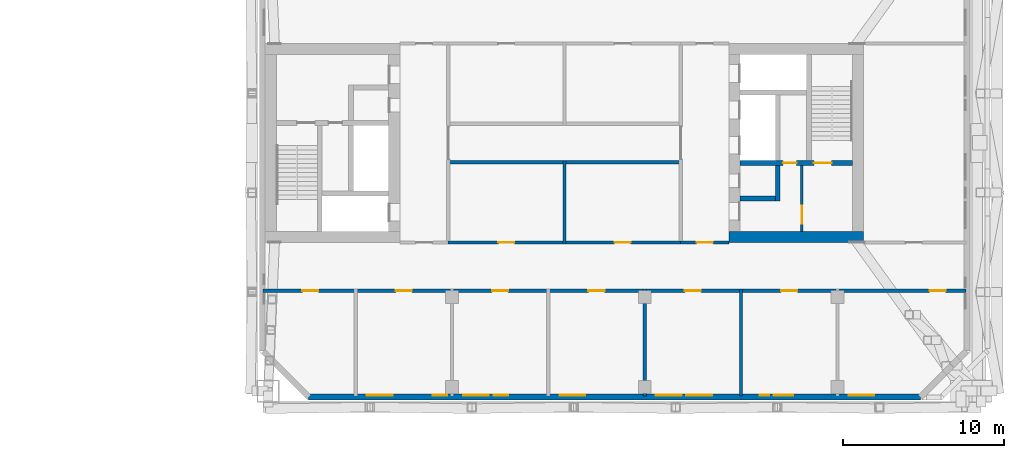
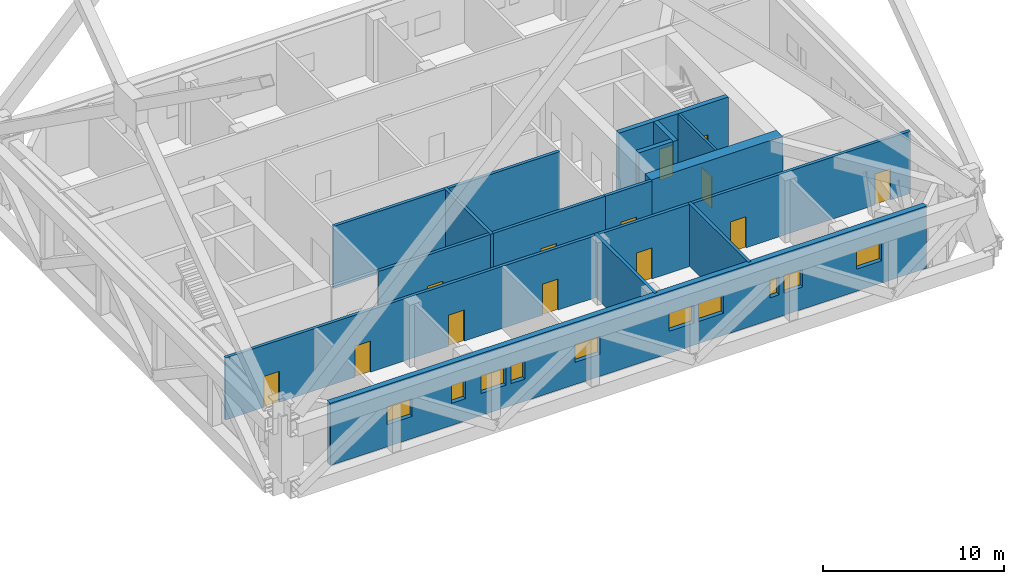
# One storey, part 12 of 20: 13 doors, 13 walls, 10 windows, 23 openings.
"""IFC4 building model written with IfcOpenShell, lengths in metres."""

from ifc_helpers import new_model, si_unit, direction, frame, frame_2d, origin, place, context, subcontext, project, spatial, rectangle, extrude, material, layer, layer_set, type_object, element, fill, save


model = new_model("IFC4")

# Units and contexts
model_context = context("Model", 3, precision=1e-05, world=origin(), true_north=direction((0.0, 1.0)))
body_context = subcontext(model_context, "Body", "Model", "MODEL_VIEW")
ifc_project = project(units=[si_unit("LENGTHUNIT", "METRE"), si_unit("AREAUNIT", "SQUARE_METRE"), si_unit("VOLUMEUNIT", "CUBIC_METRE"), si_unit("PLANEANGLEUNIT", "RADIAN"), si_unit("MASSUNIT", "GRAM", prefix="KILO")], contexts=[model_context])

# Site, building, storey
site_placement = place(None, origin())
site = spatial("IfcSite", under=ifc_project, at=site_placement, CompositionType="ELEMENT")
building_placement = place(site_placement, origin())
building = spatial("IfcBuilding", under=site, at=building_placement, Name="Tuart Gate Housing", CompositionType="ELEMENT")
storey_placement = place(building_placement, frame((0.0, 0.0, 62.89990234375)))
storey = spatial("IfcBuildingStorey", under=building, at=storey_placement, Name="L17", CompositionType="ELEMENT", Elevation=62.89990234375)

# Wall, openings, windows
ifc_material_1 = material(Name="Brick", Category="masonry")
ifc_layer_1 = layer(ifc_material_1, 0.360107421875)
ifc_layer_set_1 = layer_set([ifc_layer_1], Name="Brick pier and spandrel wall 360")
wall_type_1 = type_object("IfcWallType", Name="Brick pier and spandrel wall 360", PredefinedType="STANDARD", material=ifc_layer_set_1)
wall_1_placement = place(storey_placement, frame((134.07470703125, 54.179931640625, 0.0), z_axis=(0.0, 0.0, 1.0), x_axis=(1.0, 0.0, 0.0)))
wall_1 = element("IfcWall", 1, at=wall_1_placement, inside=storey, type_object=wall_type_1, Name="External wall B-S L17", PredefinedType="STANDARD", context=body_context, shape_type="SweptSolid", body=[
    extrude(rectangle(XDim=38.100830078125, YDim=0.360107421875, at=frame_2d((19.05029296875, 0.0))), origin(), (0.0, 0.0, 1.0), 4.2001953125),
])
opening_1_placement = place(wall_1_placement, frame((3.62548828125, 0.0, 1.5)))
opening_1 = element("IfcOpeningElement", 2, at=opening_1_placement, cuts=wall_1, Name="Opening W3", PredefinedType="OPENING", context=body_context, shape_type="SweptSolid", body=[
    extrude(rectangle(XDim=1.60009765625, YDim=1.199951171875, at=frame_2d((0.800048828125, 0.60009765625))), frame((0.0, 0.18994140625, 0.0), z_axis=(0.0, -1.0, 0.0), x_axis=(1.0, 0.0, 0.0)), (0.0, 0.0, 1.0), 0.380126953125),
])
opening_2_placement = place(wall_1_placement, frame((7.725341796875, 0.0, 1.5)))
opening_2 = element("IfcOpeningElement", 3, at=opening_2_placement, cuts=wall_1, Name="Opening W3B", PredefinedType="OPENING", context=body_context, shape_type="SweptSolid", body=[
    extrude(rectangle(XDim=0.89990234375, YDim=1.199951171875, at=frame_2d((0.449951171875, 0.60009765625))), frame((0.0, 0.18994140625, 0.0), z_axis=(0.0, -1.0, 0.0), x_axis=(1.0, 0.0, 0.0)), (0.0, 0.0, 1.0), 0.380126953125),
])
opening_3_placement = place(wall_1_placement, frame((9.62548828125, 0.0, 1.5)))
opening_3 = element("IfcOpeningElement", 4, at=opening_3_placement, cuts=wall_1, Name="Opening W3", PredefinedType="OPENING", context=body_context, shape_type="SweptSolid", body=[
    extrude(rectangle(XDim=1.60009765625, YDim=1.199951171875, at=frame_2d((0.800048828125, 0.60009765625))), frame((0.0, 0.18994140625, 0.0), z_axis=(0.0, -1.0, 0.0), x_axis=(1.0, 0.0, 0.0)), (0.0, 0.0, 1.0), 0.380126953125),
])
opening_4_placement = place(wall_1_placement, frame((11.525390625, 0.0, 1.5)))
opening_4 = element("IfcOpeningElement", 5, at=opening_4_placement, cuts=wall_1, Name="Opening W3B", PredefinedType="OPENING", context=body_context, shape_type="SweptSolid", body=[
    extrude(rectangle(XDim=0.89990234375, YDim=1.199951171875, at=frame_2d((0.449951171875, 0.60009765625))), frame((0.0, 0.18994140625, 0.0), z_axis=(0.0, -1.0, 0.0), x_axis=(1.0, 0.0, 0.0)), (0.0, 0.0, 1.0), 0.380126953125),
])
opening_5_placement = place(wall_1_placement, frame((15.62548828125, 0.0, 1.5)))
opening_5 = element("IfcOpeningElement", 6, at=opening_5_placement, cuts=wall_1, Name="Opening W3", PredefinedType="OPENING", context=body_context, shape_type="SweptSolid", body=[
    extrude(rectangle(XDim=1.60009765625, YDim=1.199951171875, at=frame_2d((0.800048828125, 0.60009765625))), frame((0.0, 0.18994140625, 0.0), z_axis=(0.0, -1.0, 0.0), x_axis=(1.0, 0.0, 0.0)), (0.0, 0.0, 1.0), 0.380126953125),
])
opening_6_placement = place(wall_1_placement, frame((21.62548828125, 0.0, 1.5)))
opening_6 = element("IfcOpeningElement", 7, at=opening_6_placement, cuts=wall_1, Name="Opening W3", PredefinedType="OPENING", context=body_context, shape_type="SweptSolid", body=[
    extrude(rectangle(XDim=1.60009765625, YDim=1.199951171875, at=frame_2d((0.800048828125, 0.60009765625))), frame((0.0, 0.18994140625, 0.0), z_axis=(0.0, -1.0, 0.0), x_axis=(1.0, 0.0, 0.0)), (0.0, 0.0, 1.0), 0.380126953125),
])
opening_7_placement = place(wall_1_placement, frame((23.525390625, 0.0, 1.5)))
opening_7 = element("IfcOpeningElement", 8, at=opening_7_placement, cuts=wall_1, Name="Opening W3", PredefinedType="OPENING", context=body_context, shape_type="SweptSolid", body=[
    extrude(rectangle(XDim=1.60009765625, YDim=1.199951171875, at=frame_2d((0.800048828125, 0.60009765625))), frame((0.0, 0.18994140625, 0.0), z_axis=(0.0, -1.0, 0.0), x_axis=(1.0, 0.0, 0.0)), (0.0, 0.0, 1.0), 0.380126953125),
])
opening_8_placement = place(wall_1_placement, frame((28.075439453125, 0.0, 1.5)))
opening_8 = element("IfcOpeningElement", 9, at=opening_8_placement, cuts=wall_1, Name="Opening W3C", PredefinedType="OPENING", context=body_context, shape_type="SweptSolid", body=[
    extrude(rectangle(XDim=0.60009765625, YDim=1.199951171875, at=frame_2d((0.300048828125, 0.60009765625))), frame((0.0, 0.18994140625, 0.0), z_axis=(0.0, -1.0, 0.0), x_axis=(1.0, 0.0, 0.0)), (0.0, 0.0, 1.0), 0.380126953125),
])
opening_9_placement = place(wall_1_placement, frame((28.975341796875, 0.0, 1.5)))
opening_9 = element("IfcOpeningElement", 10, at=opening_9_placement, cuts=wall_1, Name="Opening W3A", PredefinedType="OPENING", context=body_context, shape_type="SweptSolid", body=[
    extrude(rectangle(XDim=1.199951171875, YDim=1.199951171875, at=frame_2d((0.60009765625, 0.60009765625))), frame((0.0, 0.18994140625, 0.0), z_axis=(0.0, -1.0, 0.0), x_axis=(1.0, 0.0, 0.0)), (0.0, 0.0, 1.0), 0.380126953125),
])
opening_10_placement = place(wall_1_placement, frame((33.62548828125, 0.0, 1.5)))
opening_10 = element("IfcOpeningElement", 11, at=opening_10_placement, cuts=wall_1, Name="Opening W3", PredefinedType="OPENING", context=body_context, shape_type="SweptSolid", body=[
    extrude(rectangle(XDim=1.60009765625, YDim=1.199951171875, at=frame_2d((0.800048828125, 0.60009765625))), frame((0.0, 0.18994140625, 0.0), z_axis=(0.0, -1.0, 0.0), x_axis=(1.0, 0.0, 0.0)), (0.0, 0.0, 1.0), 0.380126953125),
])
ifc_material_2 = material(Name="Aluminium louvre blades", Category="aluminium")
window_type_1 = type_object("IfcWindowType", Name="Louvre window 1200 x 1200", PartitioningType="DOUBLE_PANEL_HORIZONTAL", PredefinedType="WINDOW", material=ifc_material_2)
window_1_placement = place(opening_9_placement, origin())
window_1 = element("IfcWindow", 12, at=window_1_placement, inside=storey, type_object=window_type_1, Name="Louvre W3A", OverallHeight=1.199951171875, OverallWidth=1.199951171875, PartitioningType="DOUBLE_PANEL_HORIZONTAL", PredefinedType="WINDOW", context=body_context, shape_type="SweptSolid", body=[
    extrude(rectangle(XDim=1.199951171875, YDim=1.199951171875, at=frame_2d((0.60009765625, 0.60009765625))), frame((0.0, 0.150146484375, 0.0), z_axis=(0.0, -1.0, 0.0), x_axis=(1.0, 0.0, 0.0)), (0.0, 0.0, 1.0), 0.06005859375),
])
fill(opening_9, window_1)
ifc_material_3 = material(Name="Aluminium louvre blades", Category="aluminium")
window_type_2 = type_object("IfcWindowType", Name="Louvre window 1600 x 1200", PartitioningType="DOUBLE_PANEL_HORIZONTAL", PredefinedType="WINDOW", material=ifc_material_3)
window_2_placement = place(opening_1_placement, origin())
window_2 = element("IfcWindow", 13, at=window_2_placement, inside=storey, type_object=window_type_2, Name="Louvre W3", OverallHeight=1.199951171875, OverallWidth=1.60009765625, PartitioningType="DOUBLE_PANEL_HORIZONTAL", PredefinedType="WINDOW", context=body_context, shape_type="SweptSolid", body=[
    extrude(rectangle(XDim=1.60009765625, YDim=1.199951171875, at=frame_2d((0.800048828125, 0.60009765625))), frame((0.0, 0.150146484375, 0.0), z_axis=(0.0, -1.0, 0.0), x_axis=(1.0, 0.0, 0.0)), (0.0, 0.0, 1.0), 0.06005859375),
])
fill(opening_1, window_2)
window_3_placement = place(opening_3_placement, origin())
window_3 = element("IfcWindow", 14, at=window_3_placement, inside=storey, type_object=window_type_2, Name="Louvre W3", OverallHeight=1.199951171875, OverallWidth=1.60009765625, PartitioningType="DOUBLE_PANEL_HORIZONTAL", PredefinedType="WINDOW", context=body_context, shape_type="SweptSolid", body=[
    extrude(rectangle(XDim=1.60009765625, YDim=1.199951171875, at=frame_2d((0.800048828125, 0.60009765625))), frame((0.0, 0.150146484375, 0.0), z_axis=(0.0, -1.0, 0.0), x_axis=(1.0, 0.0, 0.0)), (0.0, 0.0, 1.0), 0.06005859375),
])
fill(opening_3, window_3)
window_4_placement = place(opening_5_placement, origin())
window_4 = element("IfcWindow", 15, at=window_4_placement, inside=storey, type_object=window_type_2, Name="Louvre W3", OverallHeight=1.199951171875, OverallWidth=1.60009765625, PartitioningType="DOUBLE_PANEL_HORIZONTAL", PredefinedType="WINDOW", context=body_context, shape_type="SweptSolid", body=[
    extrude(rectangle(XDim=1.60009765625, YDim=1.199951171875, at=frame_2d((0.800048828125, 0.60009765625))), frame((0.0, 0.150146484375, 0.0), z_axis=(0.0, -1.0, 0.0), x_axis=(1.0, 0.0, 0.0)), (0.0, 0.0, 1.0), 0.06005859375),
])
fill(opening_5, window_4)
window_5_placement = place(opening_6_placement, origin())
window_5 = element("IfcWindow", 16, at=window_5_placement, inside=storey, type_object=window_type_2, Name="Louvre W3", OverallHeight=1.199951171875, OverallWidth=1.60009765625, PartitioningType="DOUBLE_PANEL_HORIZONTAL", PredefinedType="WINDOW", context=body_context, shape_type="SweptSolid", body=[
    extrude(rectangle(XDim=1.60009765625, YDim=1.199951171875, at=frame_2d((0.800048828125, 0.60009765625))), frame((0.0, 0.150146484375, 0.0), z_axis=(0.0, -1.0, 0.0), x_axis=(1.0, 0.0, 0.0)), (0.0, 0.0, 1.0), 0.06005859375),
])
fill(opening_6, window_5)
window_6_placement = place(opening_7_placement, origin())
window_6 = element("IfcWindow", 17, at=window_6_placement, inside=storey, type_object=window_type_2, Name="Louvre W3", OverallHeight=1.199951171875, OverallWidth=1.60009765625, PartitioningType="DOUBLE_PANEL_HORIZONTAL", PredefinedType="WINDOW", context=body_context, shape_type="SweptSolid", body=[
    extrude(rectangle(XDim=1.60009765625, YDim=1.199951171875, at=frame_2d((0.800048828125, 0.60009765625))), frame((0.0, 0.150146484375, 0.0), z_axis=(0.0, -1.0, 0.0), x_axis=(1.0, 0.0, 0.0)), (0.0, 0.0, 1.0), 0.06005859375),
])
fill(opening_7, window_6)
window_7_placement = place(opening_10_placement, origin())
window_7 = element("IfcWindow", 18, at=window_7_placement, inside=storey, type_object=window_type_2, Name="Louvre W3", OverallHeight=1.199951171875, OverallWidth=1.60009765625, PartitioningType="DOUBLE_PANEL_HORIZONTAL", PredefinedType="WINDOW", context=body_context, shape_type="SweptSolid", body=[
    extrude(rectangle(XDim=1.60009765625, YDim=1.199951171875, at=frame_2d((0.800048828125, 0.60009765625))), frame((0.0, 0.150146484375, 0.0), z_axis=(0.0, -1.0, 0.0), x_axis=(1.0, 0.0, 0.0)), (0.0, 0.0, 1.0), 0.06005859375),
])
fill(opening_10, window_7)
ifc_material_4 = material(Name="Aluminium louvre blades", Category="aluminium")
window_type_3 = type_object("IfcWindowType", Name="Louvre window 600 x 1200", PartitioningType="DOUBLE_PANEL_HORIZONTAL", PredefinedType="WINDOW", material=ifc_material_4)
window_8_placement = place(opening_8_placement, origin())
window_8 = element("IfcWindow", 19, at=window_8_placement, inside=storey, type_object=window_type_3, Name="Louvre W3C", OverallHeight=1.199951171875, OverallWidth=0.60009765625, PartitioningType="DOUBLE_PANEL_HORIZONTAL", PredefinedType="WINDOW", context=body_context, shape_type="SweptSolid", body=[
    extrude(rectangle(XDim=0.60009765625, YDim=1.199951171875, at=frame_2d((0.300048828125, 0.60009765625))), frame((0.0, 0.150146484375, 0.0), z_axis=(0.0, -1.0, 0.0), x_axis=(1.0, 0.0, 0.0)), (0.0, 0.0, 1.0), 0.06005859375),
])
fill(opening_8, window_8)
ifc_material_5 = material(Name="Aluminium louvre blades", Category="aluminium")
window_type_4 = type_object("IfcWindowType", Name="Louvre window 900 x 1200", PartitioningType="DOUBLE_PANEL_HORIZONTAL", PredefinedType="WINDOW", material=ifc_material_5)
window_9_placement = place(opening_2_placement, origin())
window_9 = element("IfcWindow", 20, at=window_9_placement, inside=storey, type_object=window_type_4, Name="Louvre W3B", OverallHeight=1.199951171875, OverallWidth=0.89990234375, PartitioningType="DOUBLE_PANEL_HORIZONTAL", PredefinedType="WINDOW", context=body_context, shape_type="SweptSolid", body=[
    extrude(rectangle(XDim=0.89990234375, YDim=1.199951171875, at=frame_2d((0.449951171875, 0.60009765625))), frame((0.0, 0.150146484375, 0.0), z_axis=(0.0, -1.0, 0.0), x_axis=(1.0, 0.0, 0.0)), (0.0, 0.0, 1.0), 0.06005859375),
])
fill(opening_2, window_9)
window_10_placement = place(opening_4_placement, origin())
window_10 = element("IfcWindow", 21, at=window_10_placement, inside=storey, type_object=window_type_4, Name="Louvre W3B", OverallHeight=1.199951171875, OverallWidth=0.89990234375, PartitioningType="DOUBLE_PANEL_HORIZONTAL", PredefinedType="WINDOW", context=body_context, shape_type="SweptSolid", body=[
    extrude(rectangle(XDim=0.89990234375, YDim=1.199951171875, at=frame_2d((0.449951171875, 0.60009765625))), frame((0.0, 0.150146484375, 0.0), z_axis=(0.0, -1.0, 0.0), x_axis=(1.0, 0.0, 0.0)), (0.0, 0.0, 1.0), 0.06005859375),
])
fill(opening_4, window_10)

# Wall, opening, door
ifc_material_6 = material(Name="Plasterboard partition")
ifc_layer_2 = layer(ifc_material_6, 0.14990234375)
ifc_layer_set_2 = layer_set([ifc_layer_2], Name="Core partition 150")
wall_type_2 = type_object("IfcWallType", Name="Core partition 150", PredefinedType="PARTITIONING", material=ifc_layer_set_2)
wall_2_placement = place(storey_placement, frame((164.7900390625, 68.60009765625, 0.0), z_axis=(0.0, 0.0, 1.0), x_axis=(0.0, -1.0, 0.0)))
wall_2 = element("IfcWall", 22, at=wall_2_placement, inside=storey, type_object=wall_type_2, Name="Core partition BK.6", PredefinedType="PARTITIONING", context=body_context, shape_type="SweptSolid", body=[
    extrude(rectangle(XDim=4.10009765625, YDim=0.14990234375, at=frame_2d((2.050048828125, 0.0))), origin(), (0.0, 0.0, 1.0), 4.2001953125),
])
opening_11_placement = place(wall_2_placement, frame((2.52490234375, 0.0, 0.0)))
opening_11 = element("IfcOpeningElement", 23, at=opening_11_placement, cuts=wall_2, Name="Opening D3363", PredefinedType="OPENING", context=body_context, shape_type="SweptSolid", body=[
    extrude(rectangle(XDim=1.10009765625, YDim=2.10009765625, at=frame_2d((0.550048828125, 1.050048828125))), frame((0.0, 0.0849609375, 0.0), z_axis=(0.0, -1.0, 0.0), x_axis=(1.0, 0.0, 0.0)), (0.0, 0.0, 1.0), 0.169921875),
])
ifc_material_7 = material(Name="Steel fire door", Category="steel")
door_type_1 = type_object("IfcDoorType", Name="Lobby door 1100 x 2100 RH", OperationType="SINGLE_SWING_RIGHT", PredefinedType="DOOR", material=ifc_material_7)
door_1_placement = place(opening_11_placement, origin())
door_1 = element("IfcDoor", 24, at=door_1_placement, inside=storey, type_object=door_type_1, Name="Smoke lobby door BK.KD", OperationType="SINGLE_SWING_RIGHT", OverallHeight=2.10009765625, OverallWidth=1.10009765625, PredefinedType="DOOR", context=body_context, shape_type="SweptSolid", body=[
    extrude(rectangle(XDim=1.10009765625, YDim=2.10009765625, at=frame_2d((0.550048828125, 1.050048828125))), frame((0.0, 0.02490234375, 0.0), z_axis=(0.0, -1.0, 0.0), x_axis=(1.0, 0.0, 0.0)), (0.0, 0.0, 1.0), 0.050048828125),
])
fill(opening_11, door_1)

# Wall, openings, doors
ifc_material_8 = material(Name="Concrete C50", Category="concrete")
ifc_layer_3 = layer(ifc_material_8, 0.300048828125)
ifc_layer_set_3 = layer_set([ifc_layer_3], Name="Core wall 300 C50")
wall_type_3 = type_object("IfcWallType", Name="Core wall 300 C50", PredefinedType="SHEAR", material=ifc_layer_set_3)
wall_3_placement = place(storey_placement, frame((160.93994140625, 68.75, 0.0), z_axis=(0.0, 0.0, 1.0), x_axis=(1.0, 0.0, 0.0)))
wall_3 = element("IfcWall", 25, at=wall_3_placement, inside=storey, type_object=wall_type_3, Name="Core wall BK.2", PredefinedType="SHEAR", context=body_context, shape_type="SweptSolid", body=[
    extrude(rectangle(XDim=7.0, YDim=0.300048828125, at=frame_2d((3.5, 0.0))), origin(), (0.0, 0.0, 1.0), 4.2001953125),
])
opening_12_placement = place(wall_3_placement, frame((4.60009765625, 0.0, 0.0)))
opening_12 = element("IfcOpeningElement", 26, at=opening_12_placement, cuts=wall_3, Name="Opening D3362", PredefinedType="OPENING", context=body_context, shape_type="SweptSolid", body=[
    extrude(rectangle(XDim=1.10009765625, YDim=2.10009765625, at=frame_2d((0.550048828125, 1.050048828125))), frame((0.0, 0.159912109375, 0.0), z_axis=(0.0, -1.0, 0.0), x_axis=(1.0, 0.0, 0.0)), (0.0, 0.0, 1.0), 0.320068359375),
])
opening_13_placement = place(wall_3_placement, frame((2.675048828125, 0.0, 0.0)))
opening_13 = element("IfcOpeningElement", 27, at=opening_13_placement, cuts=wall_3, Name="Opening D3361", PredefinedType="OPENING", context=body_context, shape_type="SweptSolid", body=[
    extrude(rectangle(XDim=0.85009765625, YDim=2.10009765625, at=frame_2d((0.425048828125, 1.050048828125))), frame((0.0, 0.159912109375, 0.0), z_axis=(0.0, -1.0, 0.0), x_axis=(1.0, 0.0, 0.0)), (0.0, 0.0, 1.0), 0.320068359375),
])
ifc_material_9 = material(Name="Steel fire door", Category="steel")
door_type_2 = type_object("IfcDoorType", Name="Riser door 850 x 2100", OperationType="SINGLE_SWING_LEFT", PredefinedType="DOOR", material=ifc_material_9)
door_2_placement = place(opening_13_placement, origin())
door_2 = element("IfcDoor", 28, at=door_2_placement, inside=storey, type_object=door_type_2, Name="Service room door BK.W1", OperationType="SINGLE_SWING_LEFT", OverallHeight=2.10009765625, OverallWidth=0.85009765625, PredefinedType="DOOR", context=body_context, shape_type="SweptSolid", body=[
    extrude(rectangle(XDim=0.85009765625, YDim=2.10009765625, at=frame_2d((0.425048828125, 1.050048828125))), frame((0.0, 0.02490234375, 0.0), z_axis=(0.0, -1.0, 0.0), x_axis=(1.0, 0.0, 0.0)), (0.0, 0.0, 1.0), 0.050048828125),
])
fill(opening_13, door_2)
ifc_material_10 = material(Name="Steel fire door", Category="steel")
door_type_3 = type_object("IfcDoorType", Name="Stair door 1100 x 2100", OperationType="SINGLE_SWING_LEFT", PredefinedType="DOOR", material=ifc_material_10)
door_3_placement = place(opening_12_placement, origin())
door_3 = element("IfcDoor", 29, at=door_3_placement, inside=storey, type_object=door_type_3, Name="Stair door BK.SD", OperationType="SINGLE_SWING_LEFT", OverallHeight=2.10009765625, OverallWidth=1.10009765625, PredefinedType="DOOR", context=body_context, shape_type="SweptSolid", body=[
    extrude(rectangle(XDim=1.10009765625, YDim=2.10009765625, at=frame_2d((0.550048828125, 1.050048828125))), frame((0.0, 0.02490234375, 0.0), z_axis=(0.0, -1.0, 0.0), x_axis=(1.0, 0.0, 0.0)), (0.0, 0.0, 1.0), 0.050048828125),
])
fill(opening_12, door_3)

# Walls
wall_4_placement = place(storey_placement, frame((160.93994140625, 66.550048828125, 0.0), z_axis=(0.0, 0.0, 1.0), x_axis=(1.0, 0.0, 0.0)))
element("IfcWall", 30, at=wall_4_placement, inside=storey, type_object=wall_type_3, Name="Core wall BK.3", PredefinedType="SHEAR", context=body_context, shape_type="SweptSolid", body=[
    extrude(rectangle(XDim=2.199951171875, YDim=0.300048828125, at=frame_2d((1.10009765625, 0.0))), origin(), (0.0, 0.0, 1.0), 4.2001953125),
])
wall_5_placement = place(storey_placement, frame((163.2900390625, 68.60009765625, 0.0), z_axis=(0.0, 0.0, 1.0), x_axis=(0.0, -1.0, 0.0)))
element("IfcWall", 31, at=wall_5_placement, inside=storey, type_object=wall_type_3, Name="Core wall BK.5", PredefinedType="SHEAR", context=body_context, shape_type="SweptSolid", body=[
    extrude(rectangle(XDim=2.2001953125, YDim=0.300048828125, at=frame_2d((1.10009765625, 0.0))), origin(), (0.0, 0.0, 1.0), 4.2001953125),
])
ifc_material_11 = material(Name="Concrete C50", Category="concrete")
ifc_layer_4 = layer(ifc_material_11, 0.699951171875)
ifc_layer_set_4 = layer_set([ifc_layer_4], Name="Core wall 700 C50")
wall_type_4 = type_object("IfcWallType", Name="Core wall 700 C50", PredefinedType="SHEAR", material=ifc_layer_set_4)
wall_6_placement = place(storey_placement, frame((160.239990234375, 64.14990234375, 0.0), z_axis=(0.0, 0.0, 1.0), x_axis=(1.0, 0.0, 0.0)))
element("IfcWall", 32, at=wall_6_placement, inside=storey, type_object=wall_type_4, Name="Core wall BK north", PredefinedType="SHEAR", context=body_context, shape_type="SweptSolid", body=[
    extrude(rectangle(XDim=8.39990234375, YDim=0.699951171875, at=frame_2d((4.199951171875, 0.0))), origin(), (0.0, 0.0, 1.0), 4.2001953125),
])

# Wall, openings, doors
ifc_material_12 = material(Name="Concrete masonry 15 MPa", Category="masonry")
ifc_layer_5 = layer(ifc_material_12, 0.199951171875)
ifc_layer_set_5 = layer_set([ifc_layer_5], Name="Enclosure wall masonry 200")
wall_type_5 = type_object("IfcWallType", Name="Enclosure wall masonry 200", PredefinedType="PARTITIONING", material=ifc_layer_set_5)
wall_7_placement = place(storey_placement, frame((131.239990234375, 60.800048828125, 0.0), z_axis=(0.0, 0.0, 1.0), x_axis=(1.0, 0.0, 0.0)))
wall_7 = element("IfcWall", 33, at=wall_7_placement, inside=storey, type_object=wall_type_5, Name="Enclosure wall masonry 200", PredefinedType="PARTITIONING", context=body_context, shape_type="SweptSolid", body=[
    extrude(rectangle(XDim=43.77001953125, YDim=0.199951171875, at=frame_2d((21.885009765625, 0.0))), origin(), (0.0, 0.0, 1.0), 4.2001953125),
])
opening_14_placement = place(wall_7_placement, frame((2.43994140625, 0.0, 0.0)))
opening_14 = element("IfcOpeningElement", 34, at=opening_14_placement, cuts=wall_7, Name="Opening D3369", PredefinedType="OPENING", context=body_context, shape_type="SweptSolid", body=[
    extrude(rectangle(XDim=1.0, YDim=2.10009765625, at=frame_2d((0.5, 1.050048828125))), frame((0.0, 0.10986328125, 0.0), z_axis=(0.0, -1.0, 0.0), x_axis=(1.0, 0.0, 0.0)), (0.0, 0.0, 1.0), 0.219970703125),
])
opening_15_placement = place(wall_7_placement, frame((8.260009765625, 0.0, 0.0)))
opening_15 = element("IfcOpeningElement", 35, at=opening_15_placement, cuts=wall_7, Name="Opening D3370", PredefinedType="OPENING", context=body_context, shape_type="SweptSolid", body=[
    extrude(rectangle(XDim=1.0, YDim=2.10009765625, at=frame_2d((0.5, 1.050048828125))), frame((0.0, 0.10986328125, 0.0), z_axis=(0.0, -1.0, 0.0), x_axis=(1.0, 0.0, 0.0)), (0.0, 0.0, 1.0), 0.219970703125),
])
opening_16_placement = place(wall_7_placement, frame((14.260009765625, 0.0, 0.0)))
opening_16 = element("IfcOpeningElement", 36, at=opening_16_placement, cuts=wall_7, Name="Opening D3371", PredefinedType="OPENING", context=body_context, shape_type="SweptSolid", body=[
    extrude(rectangle(XDim=1.0, YDim=2.10009765625, at=frame_2d((0.5, 1.050048828125))), frame((0.0, 0.10986328125, 0.0), z_axis=(0.0, -1.0, 0.0), x_axis=(1.0, 0.0, 0.0)), (0.0, 0.0, 1.0), 0.219970703125),
])
opening_17_placement = place(wall_7_placement, frame((20.260009765625, 0.0, 0.0)))
opening_17 = element("IfcOpeningElement", 37, at=opening_17_placement, cuts=wall_7, Name="Opening D3372", PredefinedType="OPENING", context=body_context, shape_type="SweptSolid", body=[
    extrude(rectangle(XDim=1.0, YDim=2.10009765625, at=frame_2d((0.5, 1.050048828125))), frame((0.0, 0.10986328125, 0.0), z_axis=(0.0, -1.0, 0.0), x_axis=(1.0, 0.0, 0.0)), (0.0, 0.0, 1.0), 0.219970703125),
])
opening_18_placement = place(wall_7_placement, frame((26.260009765625, 0.0, 0.0)))
opening_18 = element("IfcOpeningElement", 38, at=opening_18_placement, cuts=wall_7, Name="Opening D3373", PredefinedType="OPENING", context=body_context, shape_type="SweptSolid", body=[
    extrude(rectangle(XDim=1.0, YDim=2.10009765625, at=frame_2d((0.5, 1.050048828125))), frame((0.0, 0.10986328125, 0.0), z_axis=(0.0, -1.0, 0.0), x_axis=(1.0, 0.0, 0.0)), (0.0, 0.0, 1.0), 0.219970703125),
])
opening_19_placement = place(wall_7_placement, frame((32.260009765625, 0.0, 0.0)))
opening_19 = element("IfcOpeningElement", 39, at=opening_19_placement, cuts=wall_7, Name="Opening D3374", PredefinedType="OPENING", context=body_context, shape_type="SweptSolid", body=[
    extrude(rectangle(XDim=1.0, YDim=2.10009765625, at=frame_2d((0.5, 1.050048828125))), frame((0.0, 0.10986328125, 0.0), z_axis=(0.0, -1.0, 0.0), x_axis=(1.0, 0.0, 0.0)), (0.0, 0.0, 1.0), 0.219970703125),
])
opening_20_placement = place(wall_7_placement, frame((41.5048828125, 0.0, 0.0)))
opening_20 = element("IfcOpeningElement", 40, at=opening_20_placement, cuts=wall_7, Name="Opening D3375", PredefinedType="OPENING", context=body_context, shape_type="SweptSolid", body=[
    extrude(rectangle(XDim=1.0, YDim=2.10009765625, at=frame_2d((0.5, 1.050048828125))), frame((0.0, 0.10986328125, 0.0), z_axis=(0.0, -1.0, 0.0), x_axis=(1.0, 0.0, 0.0)), (0.0, 0.0, 1.0), 0.219970703125),
])
ifc_material_13 = material(Name="Timber door leaf in steel frame", Category="steel")
door_type_4 = type_object("IfcDoorType", Name="Fire door 1000", OperationType="SINGLE_SWING_LEFT", PredefinedType="DOOR", material=ifc_material_13)
door_4_placement = place(opening_20_placement, frame((1.0, 0.0, 0.0), z_axis=(0.0, 0.0, 1.0), x_axis=(-1.0, 0.0, 0.0)))
door_4 = element("IfcDoor", 41, at=door_4_placement, inside=storey, type_object=door_type_4, Name="Fire door 1000", OperationType="SINGLE_SWING_LEFT", OverallHeight=2.10009765625, OverallWidth=1.0, PredefinedType="DOOR", context=body_context, shape_type="SweptSolid", body=[
    extrude(rectangle(XDim=1.0, YDim=2.10009765625, at=frame_2d((0.5, 1.050048828125))), frame((0.0, 0.025146484375, 0.0), z_axis=(0.0, -1.0, 0.0), x_axis=(1.0, 0.0, 0.0)), (0.0, 0.0, 1.0), 0.050048828125),
])
fill(opening_20, door_4)
ifc_material_14 = material(Name="Timber door leaf in steel frame", Category="steel")
door_type_5 = type_object("IfcDoorType", Name="Fire door 1000 RH", OperationType="SINGLE_SWING_RIGHT", PredefinedType="DOOR", material=ifc_material_14)
door_5_placement = place(opening_14_placement, frame((1.0, 0.0, 0.0), z_axis=(0.0, 0.0, 1.0), x_axis=(-1.0, 0.0, 0.0)))
door_5 = element("IfcDoor", 42, at=door_5_placement, inside=storey, type_object=door_type_5, Name="Fire door 1000", OperationType="SINGLE_SWING_RIGHT", OverallHeight=2.10009765625, OverallWidth=1.0, PredefinedType="DOOR", context=body_context, shape_type="SweptSolid", body=[
    extrude(rectangle(XDim=1.0, YDim=2.10009765625, at=frame_2d((0.5, 1.050048828125))), frame((0.0, 0.025146484375, 0.0), z_axis=(0.0, -1.0, 0.0), x_axis=(1.0, 0.0, 0.0)), (0.0, 0.0, 1.0), 0.050048828125),
])
fill(opening_14, door_5)
door_6_placement = place(opening_15_placement, frame((1.0, 0.0, 0.0), z_axis=(0.0, 0.0, 1.0), x_axis=(-1.0, 0.0, 0.0)))
door_6 = element("IfcDoor", 43, at=door_6_placement, inside=storey, type_object=door_type_5, Name="Fire door 1000", OperationType="SINGLE_SWING_RIGHT", OverallHeight=2.10009765625, OverallWidth=1.0, PredefinedType="DOOR", context=body_context, shape_type="SweptSolid", body=[
    extrude(rectangle(XDim=1.0, YDim=2.10009765625, at=frame_2d((0.5, 1.050048828125))), frame((0.0, 0.025146484375, 0.0), z_axis=(0.0, -1.0, 0.0), x_axis=(1.0, 0.0, 0.0)), (0.0, 0.0, 1.0), 0.050048828125),
])
fill(opening_15, door_6)
door_7_placement = place(opening_16_placement, frame((1.0, 0.0, 0.0), z_axis=(0.0, 0.0, 1.0), x_axis=(-1.0, 0.0, 0.0)))
door_7 = element("IfcDoor", 44, at=door_7_placement, inside=storey, type_object=door_type_5, Name="Fire door 1000", OperationType="SINGLE_SWING_RIGHT", OverallHeight=2.10009765625, OverallWidth=1.0, PredefinedType="DOOR", context=body_context, shape_type="SweptSolid", body=[
    extrude(rectangle(XDim=1.0, YDim=2.10009765625, at=frame_2d((0.5, 1.050048828125))), frame((0.0, 0.025146484375, 0.0), z_axis=(0.0, -1.0, 0.0), x_axis=(1.0, 0.0, 0.0)), (0.0, 0.0, 1.0), 0.050048828125),
])
fill(opening_16, door_7)
door_8_placement = place(opening_17_placement, frame((1.0, 0.0, 0.0), z_axis=(0.0, 0.0, 1.0), x_axis=(-1.0, 0.0, 0.0)))
door_8 = element("IfcDoor", 45, at=door_8_placement, inside=storey, type_object=door_type_5, Name="Fire door 1000", OperationType="SINGLE_SWING_RIGHT", OverallHeight=2.10009765625, OverallWidth=1.0, PredefinedType="DOOR", context=body_context, shape_type="SweptSolid", body=[
    extrude(rectangle(XDim=1.0, YDim=2.10009765625, at=frame_2d((0.5, 1.050048828125))), frame((0.0, 0.025146484375, 0.0), z_axis=(0.0, -1.0, 0.0), x_axis=(1.0, 0.0, 0.0)), (0.0, 0.0, 1.0), 0.050048828125),
])
fill(opening_17, door_8)
door_9_placement = place(opening_18_placement, frame((1.0, 0.0, 0.0), z_axis=(0.0, 0.0, 1.0), x_axis=(-1.0, 0.0, 0.0)))
door_9 = element("IfcDoor", 46, at=door_9_placement, inside=storey, type_object=door_type_5, Name="Fire door 1000", OperationType="SINGLE_SWING_RIGHT", OverallHeight=2.10009765625, OverallWidth=1.0, PredefinedType="DOOR", context=body_context, shape_type="SweptSolid", body=[
    extrude(rectangle(XDim=1.0, YDim=2.10009765625, at=frame_2d((0.5, 1.050048828125))), frame((0.0, 0.025146484375, 0.0), z_axis=(0.0, -1.0, 0.0), x_axis=(1.0, 0.0, 0.0)), (0.0, 0.0, 1.0), 0.050048828125),
])
fill(opening_18, door_9)
door_10_placement = place(opening_19_placement, frame((1.0, 0.0, 0.0), z_axis=(0.0, 0.0, 1.0), x_axis=(-1.0, 0.0, 0.0)))
door_10 = element("IfcDoor", 47, at=door_10_placement, inside=storey, type_object=door_type_5, Name="Fire door 1000", OperationType="SINGLE_SWING_RIGHT", OverallHeight=2.10009765625, OverallWidth=1.0, PredefinedType="DOOR", context=body_context, shape_type="SweptSolid", body=[
    extrude(rectangle(XDim=1.0, YDim=2.10009765625, at=frame_2d((0.5, 1.050048828125))), frame((0.0, 0.025146484375, 0.0), z_axis=(0.0, -1.0, 0.0), x_axis=(1.0, 0.0, 0.0)), (0.0, 0.0, 1.0), 0.050048828125),
])
fill(opening_19, door_10)

wall_8_placement = place(storey_placement, frame((142.760009765625, 63.800048828125, 0.0), z_axis=(0.0, 0.0, 1.0), x_axis=(1.0, 0.0, 0.0)))
wall_8 = element("IfcWall", 48, at=wall_8_placement, inside=storey, type_object=wall_type_5, Name="Enclosure wall masonry 200", PredefinedType="PARTITIONING", context=body_context, shape_type="SweptSolid", body=[
    extrude(rectangle(XDim=14.47998046875, YDim=0.199951171875, at=frame_2d((7.239990234375, 0.0))), origin(), (0.0, 0.0, 1.0), 4.2001953125),
])
opening_21_placement = place(wall_8_placement, frame((3.1201171875, 0.0, 0.0)))
opening_21 = element("IfcOpeningElement", 49, at=opening_21_placement, cuts=wall_8, Name="Opening D3365", PredefinedType="OPENING", context=body_context, shape_type="SweptSolid", body=[
    extrude(rectangle(XDim=1.0, YDim=2.10009765625, at=frame_2d((0.5, 1.050048828125))), frame((0.0, 0.10986328125, 0.0), z_axis=(0.0, -1.0, 0.0), x_axis=(1.0, 0.0, 0.0)), (0.0, 0.0, 1.0), 0.219970703125),
])
opening_22_placement = place(wall_8_placement, frame((10.360107421875, 0.0, 0.0)))
opening_22 = element("IfcOpeningElement", 50, at=opening_22_placement, cuts=wall_8, Name="Opening D3366", PredefinedType="OPENING", context=body_context, shape_type="SweptSolid", body=[
    extrude(rectangle(XDim=1.0, YDim=2.10009765625, at=frame_2d((0.5, 1.050048828125))), frame((0.0, 0.10986328125, 0.0), z_axis=(0.0, -1.0, 0.0), x_axis=(1.0, 0.0, 0.0)), (0.0, 0.0, 1.0), 0.219970703125),
])
door_11_placement = place(opening_21_placement, origin())
door_11 = element("IfcDoor", 51, at=door_11_placement, inside=storey, type_object=door_type_4, Name="Fire door 1000", OperationType="SINGLE_SWING_LEFT", OverallHeight=2.10009765625, OverallWidth=1.0, PredefinedType="DOOR", context=body_context, shape_type="SweptSolid", body=[
    extrude(rectangle(XDim=1.0, YDim=2.10009765625, at=frame_2d((0.5, 1.050048828125))), frame((0.0, 0.02490234375, 0.0), z_axis=(0.0, -1.0, 0.0), x_axis=(1.0, 0.0, 0.0)), (0.0, 0.0, 1.0), 0.050048828125),
])
fill(opening_21, door_11)
door_12_placement = place(opening_22_placement, origin())
door_12 = element("IfcDoor", 52, at=door_12_placement, inside=storey, type_object=door_type_4, Name="Fire door 1000", OperationType="SINGLE_SWING_LEFT", OverallHeight=2.10009765625, OverallWidth=1.0, PredefinedType="DOOR", context=body_context, shape_type="SweptSolid", body=[
    extrude(rectangle(XDim=1.0, YDim=2.10009765625, at=frame_2d((0.5, 1.050048828125))), frame((0.0, 0.02490234375, 0.0), z_axis=(0.0, -1.0, 0.0), x_axis=(1.0, 0.0, 0.0)), (0.0, 0.0, 1.0), 0.050048828125),
])
fill(opening_22, door_12)

# Wall, opening, door
wall_9_placement = place(storey_placement, frame((157.239990234375, 63.800048828125, 0.0), z_axis=(0.0, 0.0, 1.0), x_axis=(1.0, 0.0, 0.0)))
wall_9 = element("IfcWall", 53, at=wall_9_placement, inside=storey, type_object=wall_type_5, Name="Enclosure wall masonry 200", PredefinedType="PARTITIONING", context=body_context, shape_type="SweptSolid", body=[
    extrude(rectangle(XDim=3.0, YDim=0.199951171875, at=frame_2d((1.5, 0.0))), origin(), (0.0, 0.0, 1.0), 4.2001953125),
])
opening_23_placement = place(wall_9_placement, frame((1.0, 0.0, 0.0)))
opening_23 = element("IfcOpeningElement", 54, at=opening_23_placement, cuts=wall_9, Name="Opening D3367", PredefinedType="OPENING", context=body_context, shape_type="SweptSolid", body=[
    extrude(rectangle(XDim=1.0, YDim=2.10009765625, at=frame_2d((0.5, 1.050048828125))), frame((0.0, 0.10986328125, 0.0), z_axis=(0.0, -1.0, 0.0), x_axis=(1.0, 0.0, 0.0)), (0.0, 0.0, 1.0), 0.219970703125),
])
ifc_material_15 = material(Name="Timber door leaf in steel frame", Category="steel")
door_type_6 = type_object("IfcDoorType", Name="Lobby door 1000", OperationType="SINGLE_SWING_LEFT", PredefinedType="DOOR", material=ifc_material_15)
door_13_placement = place(opening_23_placement, origin())
door_13 = element("IfcDoor", 55, at=door_13_placement, inside=storey, type_object=door_type_6, Name="Lobby door 1000", OperationType="SINGLE_SWING_LEFT", OverallHeight=2.10009765625, OverallWidth=1.0, PredefinedType="DOOR", context=body_context, shape_type="SweptSolid", body=[
    extrude(rectangle(XDim=1.0, YDim=2.10009765625, at=frame_2d((0.5, 1.050048828125))), frame((0.0, 0.02490234375, 0.0), z_axis=(0.0, -1.0, 0.0), x_axis=(1.0, 0.0, 0.0)), (0.0, 0.0, 1.0), 0.050048828125),
])
fill(opening_23, door_13)

# Walls
wall_10_placement = place(storey_placement, frame((142.760009765625, 68.800048828125, 0.0), z_axis=(0.0, 0.0, 1.0), x_axis=(1.0, 0.0, 0.0)))
element("IfcWall", 56, at=wall_10_placement, inside=storey, type_object=wall_type_5, Name="Enclosure wall masonry 200", PredefinedType="PARTITIONING", context=body_context, shape_type="SweptSolid", body=[
    extrude(rectangle(XDim=14.47998046875, YDim=0.199951171875, at=frame_2d((7.239990234375, 0.0))), origin(), (0.0, 0.0, 1.0), 4.2001953125),
])
wall_11_placement = place(storey_placement, frame((150.0, 63.699951171875, 0.0), z_axis=(0.0, 0.0, 1.0), x_axis=(0.0, 1.0, 0.0)))
element("IfcWall", 57, at=wall_11_placement, inside=storey, type_object=wall_type_5, Name="Enclosure wall masonry 200", PredefinedType="PARTITIONING", context=body_context, shape_type="SweptSolid", body=[
    extrude(rectangle(XDim=5.199951171875, YDim=0.199951171875, at=frame_2d((2.60009765625, 0.0))), origin(), (0.0, 0.0, 1.0), 4.2001953125),
])
for number, where, z_axis, x_axis, name in (
    (58, (155.0, 54.239990234375, 0.0), (0.0, 0.0, 1.0), (0.0, 1.0, 0.0), "Enclosure wall masonry 200"),
    (59, (161.0, 54.239990234375, 0.0), (0.0, 0.0, 1.0), (0.0, 1.0, 0.0), "Enclosure wall masonry 200"),
):
    element("IfcWall", number, at=place(storey_placement, frame(where, z_axis=z_axis, x_axis=x_axis)), inside=storey, type_object=wall_type_5, Name=name, PredefinedType="PARTITIONING", context=body_context, shape_type="SweptSolid", body=[
        extrude(rectangle(XDim=6.659912109375, YDim=0.199951171875, at=frame_2d((3.330078125, 0.0))), origin(), (0.0, 0.0, 1.0), 4.2001953125),
    ])

save(model, "model.ifc")
